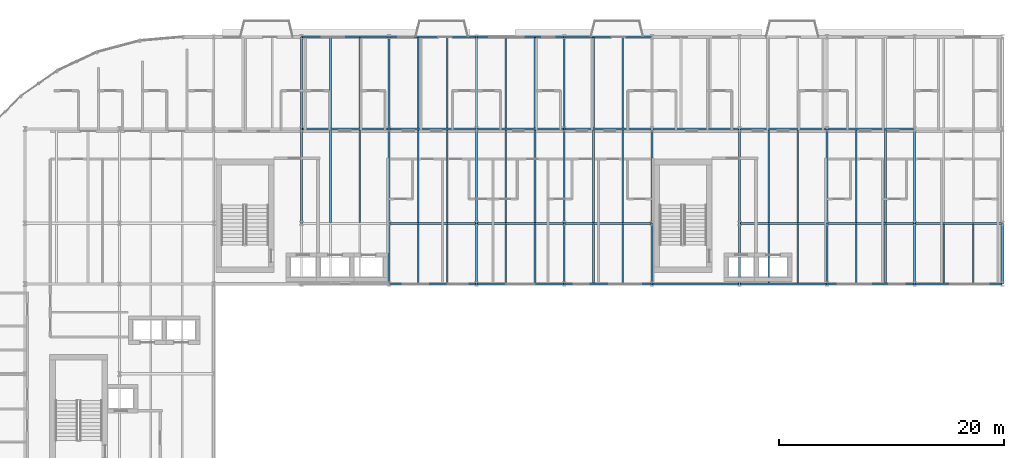
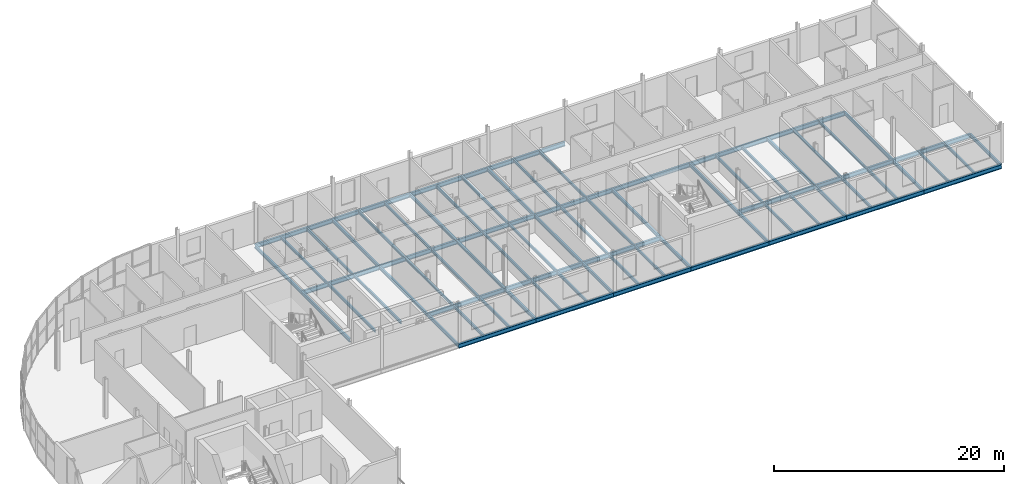
# One storey, part 8 of 22: 76 beams.
"""IFC4 building model written with IfcOpenShell, lengths in metres."""

from ifc_helpers import new_model, si_unit, direction, frame, origin, origin_2d, place, context, subcontext, project, spatial, i_section, extrude, material, material_profile, profile_set, type_object, element, save


model = new_model("IFC4")

# Units and contexts
model_context = context("Model", 3, precision=1e-05, world=origin(), true_north=direction((0.0, 1.0)))
body_context = subcontext(model_context, "Body", "Model", "MODEL_VIEW")
ifc_project = project(units=[si_unit("LENGTHUNIT", "METRE"), si_unit("AREAUNIT", "SQUARE_METRE"), si_unit("VOLUMEUNIT", "CUBIC_METRE"), si_unit("PLANEANGLEUNIT", "RADIAN"), si_unit("MASSUNIT", "GRAM", prefix="KILO")], contexts=[model_context])

# Site, building, storey
site_placement = place(None, origin())
site = spatial("IfcSite", under=ifc_project, at=site_placement, CompositionType="ELEMENT")
building_placement = place(site_placement, origin())
building = spatial("IfcBuilding", under=site, at=building_placement, Name="Sefraquen Railside Congress Hotel", CompositionType="ELEMENT")
storey_placement = place(building_placement, frame((0.0, 0.0, 42.60009765625)))
storey = spatial("IfcBuildingStorey", under=building, at=storey_placement, Name="L10", CompositionType="ELEMENT", Elevation=42.60009765625)

# Beams
ifc_material = material(Name="Steel S355JR", Category="steel")
ifc_material_profile_1 = material_profile(ifc_material, i_section(OverallWidth=0.169921875, OverallDepth=0.360107421875, WebThickness=0.008056640625, FlangeThickness=0.0126953125, FilletRadius=0.01806640625, at=origin_2d()), Name="IPE 360")
ifc_profile_set_1 = profile_set([ifc_material_profile_1], Name="Steel S355JR")
beam_type_1 = type_object("IfcBeamType", Name="TB-BM-360", PredefinedType="BEAM", material=ifc_profile_set_1)
beam_1_placement = place(storey_placement, frame((33.0, 101.39990234375, -0.400146484375), z_axis=(0.0, 1.0, 0.0), x_axis=(-1.0, 0.0, 0.0)))
element("IfcBeam", 1, at=beam_1_placement, inside=storey, type_object=beam_type_1, Name="Floor beam BM-L10-2123", PredefinedType="BEAM", context=body_context, shape_type="SweptSolid", body=[
    extrude(i_section(OverallWidth=0.169921875, OverallDepth=0.360107421875, WebThickness=0.008056640625, FlangeThickness=0.0126953125, FilletRadius=0.01806640625, at=origin_2d()), origin(), (0.0, 0.0, 1.0), 8.400146484375),
])
beam_2_placement = place(storey_placement, frame((33.0, 109.800048828125, -0.400146484375), z_axis=(0.0, 1.0, 0.0), x_axis=(-1.0, 0.0, 0.0)))
element("IfcBeam", 2, at=beam_2_placement, inside=storey, type_object=beam_type_1, Name="Floor beam BM-L10-2124", PredefinedType="BEAM", context=body_context, shape_type="SweptSolid", body=[
    extrude(i_section(OverallWidth=0.169921875, OverallDepth=0.360107421875, WebThickness=0.008056640625, FlangeThickness=0.0126953125, FilletRadius=0.01806640625, at=origin_2d()), origin(), (0.0, 0.0, 1.0), 8.199951171875),
])
beam_3_placement = place(storey_placement, frame((40.800048828125, 96.0, -0.400146484375), z_axis=(0.0, 1.0, 0.0), x_axis=(-1.0, 0.0, 0.0)))
element("IfcBeam", 3, at=beam_3_placement, inside=storey, type_object=beam_type_1, Name="Floor beam BM-L10-2125", PredefinedType="BEAM", context=body_context, shape_type="SweptSolid", body=[
    extrude(i_section(OverallWidth=0.169921875, OverallDepth=0.360107421875, WebThickness=0.008056640625, FlangeThickness=0.0126953125, FilletRadius=0.01806640625, at=origin_2d()), origin(), (0.0, 0.0, 1.0), 5.39990234375),
])
beam_4_placement = place(storey_placement, frame((40.800048828125, 101.39990234375, -0.400146484375), z_axis=(0.0, 1.0, 0.0), x_axis=(-1.0, 0.0, 0.0)))
element("IfcBeam", 4, at=beam_4_placement, inside=storey, type_object=beam_type_1, Name="Floor beam BM-L10-2126", PredefinedType="BEAM", context=body_context, shape_type="SweptSolid", body=[
    extrude(i_section(OverallWidth=0.169921875, OverallDepth=0.360107421875, WebThickness=0.008056640625, FlangeThickness=0.0126953125, FilletRadius=0.01806640625, at=origin_2d()), origin(), (0.0, 0.0, 1.0), 8.400146484375),
])
beam_5_placement = place(storey_placement, frame((40.800048828125, 109.800048828125, -0.400146484375), z_axis=(0.0, 1.0, 0.0), x_axis=(-1.0, 0.0, 0.0)))
element("IfcBeam", 5, at=beam_5_placement, inside=storey, type_object=beam_type_1, Name="Floor beam BM-L10-2127", PredefinedType="BEAM", context=body_context, shape_type="SweptSolid", body=[
    extrude(i_section(OverallWidth=0.169921875, OverallDepth=0.360107421875, WebThickness=0.008056640625, FlangeThickness=0.0126953125, FilletRadius=0.01806640625, at=origin_2d()), origin(), (0.0, 0.0, 1.0), 8.199951171875),
])
beam_6_placement = place(storey_placement, frame((48.60009765625, 96.0, -0.400146484375), z_axis=(0.0, 1.0, 0.0), x_axis=(-1.0, 0.0, 0.0)))
element("IfcBeam", 6, at=beam_6_placement, inside=storey, type_object=beam_type_1, Name="Floor beam BM-L10-2128", PredefinedType="BEAM", context=body_context, shape_type="SweptSolid", body=[
    extrude(i_section(OverallWidth=0.169921875, OverallDepth=0.360107421875, WebThickness=0.008056640625, FlangeThickness=0.0126953125, FilletRadius=0.01806640625, at=origin_2d()), origin(), (0.0, 0.0, 1.0), 5.39990234375),
])
beam_7_placement = place(storey_placement, frame((48.60009765625, 101.39990234375, -0.400146484375), z_axis=(0.0, 1.0, 0.0), x_axis=(-1.0, 0.0, 0.0)))
element("IfcBeam", 7, at=beam_7_placement, inside=storey, type_object=beam_type_1, Name="Floor beam BM-L10-2129", PredefinedType="BEAM", context=body_context, shape_type="SweptSolid", body=[
    extrude(i_section(OverallWidth=0.169921875, OverallDepth=0.360107421875, WebThickness=0.008056640625, FlangeThickness=0.0126953125, FilletRadius=0.01806640625, at=origin_2d()), origin(), (0.0, 0.0, 1.0), 8.400146484375),
])
beam_8_placement = place(storey_placement, frame((48.60009765625, 109.800048828125, -0.400146484375), z_axis=(0.0, 1.0, 0.0), x_axis=(-1.0, 0.0, 0.0)))
element("IfcBeam", 8, at=beam_8_placement, inside=storey, type_object=beam_type_1, Name="Floor beam BM-L10-2130", PredefinedType="BEAM", context=body_context, shape_type="SweptSolid", body=[
    extrude(i_section(OverallWidth=0.169921875, OverallDepth=0.360107421875, WebThickness=0.008056640625, FlangeThickness=0.0126953125, FilletRadius=0.01806640625, at=origin_2d()), origin(), (0.0, 0.0, 1.0), 8.199951171875),
])
beam_9_placement = place(storey_placement, frame((56.39990234375, 96.0, -0.400146484375), z_axis=(0.0, 1.0, 0.0), x_axis=(-1.0, 0.0, 0.0)))
element("IfcBeam", 9, at=beam_9_placement, inside=storey, type_object=beam_type_1, Name="Floor beam BM-L10-2131", PredefinedType="BEAM", context=body_context, shape_type="SweptSolid", body=[
    extrude(i_section(OverallWidth=0.169921875, OverallDepth=0.360107421875, WebThickness=0.008056640625, FlangeThickness=0.0126953125, FilletRadius=0.01806640625, at=origin_2d()), origin(), (0.0, 0.0, 1.0), 5.39990234375),
])
beam_10_placement = place(storey_placement, frame((56.39990234375, 101.39990234375, -0.400146484375), z_axis=(0.0, 1.0, 0.0), x_axis=(-1.0, 0.0, 0.0)))
element("IfcBeam", 10, at=beam_10_placement, inside=storey, type_object=beam_type_1, Name="Floor beam BM-L10-2132", PredefinedType="BEAM", context=body_context, shape_type="SweptSolid", body=[
    extrude(i_section(OverallWidth=0.169921875, OverallDepth=0.360107421875, WebThickness=0.008056640625, FlangeThickness=0.0126953125, FilletRadius=0.01806640625, at=origin_2d()), origin(), (0.0, 0.0, 1.0), 8.400146484375),
])
beam_11_placement = place(storey_placement, frame((56.39990234375, 109.800048828125, -0.400146484375), z_axis=(0.0, 1.0, 0.0), x_axis=(-1.0, 0.0, 0.0)))
element("IfcBeam", 11, at=beam_11_placement, inside=storey, type_object=beam_type_1, Name="Floor beam BM-L10-2133", PredefinedType="BEAM", context=body_context, shape_type="SweptSolid", body=[
    extrude(i_section(OverallWidth=0.169921875, OverallDepth=0.360107421875, WebThickness=0.008056640625, FlangeThickness=0.0126953125, FilletRadius=0.01806640625, at=origin_2d()), origin(), (0.0, 0.0, 1.0), 8.199951171875),
])
beam_12_placement = place(storey_placement, frame((64.199951171875, 96.0, -0.400146484375), z_axis=(0.0, 1.0, 0.0), x_axis=(-1.0, 0.0, 0.0)))
element("IfcBeam", 12, at=beam_12_placement, inside=storey, type_object=beam_type_1, Name="Floor beam BM-L10-2134", PredefinedType="BEAM", context=body_context, shape_type="SweptSolid", body=[
    extrude(i_section(OverallWidth=0.169921875, OverallDepth=0.360107421875, WebThickness=0.008056640625, FlangeThickness=0.0126953125, FilletRadius=0.01806640625, at=origin_2d()), origin(), (0.0, 0.0, 1.0), 5.39990234375),
])
beam_13_placement = place(storey_placement, frame((64.199951171875, 101.39990234375, -0.400146484375), z_axis=(0.0, 1.0, 0.0), x_axis=(-1.0, 0.0, 0.0)))
element("IfcBeam", 13, at=beam_13_placement, inside=storey, type_object=beam_type_1, Name="Floor beam BM-L10-2135", PredefinedType="BEAM", context=body_context, shape_type="SweptSolid", body=[
    extrude(i_section(OverallWidth=0.169921875, OverallDepth=0.360107421875, WebThickness=0.008056640625, FlangeThickness=0.0126953125, FilletRadius=0.01806640625, at=origin_2d()), origin(), (0.0, 0.0, 1.0), 8.400146484375),
])
beam_14_placement = place(storey_placement, frame((72.0, 96.0, -0.400146484375), z_axis=(0.0, 1.0, 0.0), x_axis=(-1.0, 0.0, 0.0)))
element("IfcBeam", 14, at=beam_14_placement, inside=storey, type_object=beam_type_1, Name="Floor beam BM-L10-2137", PredefinedType="BEAM", context=body_context, shape_type="SweptSolid", body=[
    extrude(i_section(OverallWidth=0.169921875, OverallDepth=0.360107421875, WebThickness=0.008056640625, FlangeThickness=0.0126953125, FilletRadius=0.01806640625, at=origin_2d()), origin(), (0.0, 0.0, 1.0), 5.39990234375),
])
beam_15_placement = place(storey_placement, frame((72.0, 101.39990234375, -0.400146484375), z_axis=(0.0, 1.0, 0.0), x_axis=(-1.0, 0.0, 0.0)))
element("IfcBeam", 15, at=beam_15_placement, inside=storey, type_object=beam_type_1, Name="Floor beam BM-L10-2138", PredefinedType="BEAM", context=body_context, shape_type="SweptSolid", body=[
    extrude(i_section(OverallWidth=0.169921875, OverallDepth=0.360107421875, WebThickness=0.008056640625, FlangeThickness=0.0126953125, FilletRadius=0.01806640625, at=origin_2d()), origin(), (0.0, 0.0, 1.0), 8.400146484375),
])
beam_16_placement = place(storey_placement, frame((79.800048828125, 96.0, -0.400146484375), z_axis=(0.0, 1.0, 0.0), x_axis=(-1.0, 0.0, 0.0)))
element("IfcBeam", 16, at=beam_16_placement, inside=storey, type_object=beam_type_1, Name="Floor beam BM-L10-2140", PredefinedType="BEAM", context=body_context, shape_type="SweptSolid", body=[
    extrude(i_section(OverallWidth=0.169921875, OverallDepth=0.360107421875, WebThickness=0.008056640625, FlangeThickness=0.0126953125, FilletRadius=0.01806640625, at=origin_2d()), origin(), (0.0, 0.0, 1.0), 5.39990234375),
])
beam_17_placement = place(storey_placement, frame((79.800048828125, 101.39990234375, -0.400146484375), z_axis=(0.0, 1.0, 0.0), x_axis=(-1.0, 0.0, 0.0)))
element("IfcBeam", 17, at=beam_17_placement, inside=storey, type_object=beam_type_1, Name="Floor beam BM-L10-2141", PredefinedType="BEAM", context=body_context, shape_type="SweptSolid", body=[
    extrude(i_section(OverallWidth=0.169921875, OverallDepth=0.360107421875, WebThickness=0.008056640625, FlangeThickness=0.0126953125, FilletRadius=0.01806640625, at=origin_2d()), origin(), (0.0, 0.0, 1.0), 8.400146484375),
])
beam_18_placement = place(storey_placement, frame((87.60009765625, 96.0, -0.400146484375), z_axis=(0.0, 1.0, 0.0), x_axis=(-1.0, 0.0, 0.0)))
element("IfcBeam", 18, at=beam_18_placement, inside=storey, type_object=beam_type_1, Name="Floor beam BM-L10-2143", PredefinedType="BEAM", context=body_context, shape_type="SweptSolid", body=[
    extrude(i_section(OverallWidth=0.169921875, OverallDepth=0.360107421875, WebThickness=0.008056640625, FlangeThickness=0.0126953125, FilletRadius=0.01806640625, at=origin_2d()), origin(), (0.0, 0.0, 1.0), 5.39990234375),
])
beam_19_placement = place(storey_placement, frame((87.60009765625, 101.39990234375, -0.400146484375), z_axis=(0.0, 1.0, 0.0), x_axis=(-1.0, 0.0, 0.0)))
element("IfcBeam", 19, at=beam_19_placement, inside=storey, type_object=beam_type_1, Name="Floor beam BM-L10-2144", PredefinedType="BEAM", context=body_context, shape_type="SweptSolid", body=[
    extrude(i_section(OverallWidth=0.169921875, OverallDepth=0.360107421875, WebThickness=0.008056640625, FlangeThickness=0.0126953125, FilletRadius=0.01806640625, at=origin_2d()), origin(), (0.0, 0.0, 1.0), 8.400146484375),
])
beam_20_placement = place(storey_placement, frame((95.39990234375, 96.0, -0.400146484375), z_axis=(0.0, 1.0, 0.0), x_axis=(-1.0, 0.0, 0.0)))
element("IfcBeam", 20, at=beam_20_placement, inside=storey, type_object=beam_type_1, Name="Floor beam BM-L10-2146", PredefinedType="BEAM", context=body_context, shape_type="SweptSolid", body=[
    extrude(i_section(OverallWidth=0.169921875, OverallDepth=0.360107421875, WebThickness=0.008056640625, FlangeThickness=0.0126953125, FilletRadius=0.01806640625, at=origin_2d()), origin(), (0.0, 0.0, 1.0), 5.39990234375),
])
ifc_material_profile_2 = material_profile(ifc_material, i_section(OverallWidth=0.18994140625, OverallDepth=0.449951171875, WebThickness=0.009521484375, FlangeThickness=0.0146484375, FilletRadius=0.02099609375, at=origin_2d()), Name="IPE 450")
ifc_profile_set_2 = profile_set([ifc_material_profile_2], Name="Steel S355JR")
beam_type_2 = type_object("IfcBeamType", Name="TB-BM-450", PredefinedType="BEAM", material=ifc_profile_set_2)
beam_21_placement = place(storey_placement, frame((40.800048828125, 96.0, -0.445068359375), z_axis=(1.0, 0.0, 0.0), x_axis=(0.0, 1.0, 0.0)))
element("IfcBeam", 21, at=beam_21_placement, inside=storey, type_object=beam_type_2, Name="Primary girder BM-L10-2064", PredefinedType="BEAM", context=body_context, shape_type="SweptSolid", body=[
    extrude(i_section(OverallWidth=0.18994140625, OverallDepth=0.449951171875, WebThickness=0.009521484375, FlangeThickness=0.0146484375, FilletRadius=0.02099609375, at=origin_2d()), origin(), (0.0, 0.0, 1.0), 7.800048828125),
])
beam_22_placement = place(storey_placement, frame((48.60009765625, 96.0, -0.445068359375), z_axis=(1.0, 0.0, 0.0), x_axis=(0.0, 1.0, 0.0)))
element("IfcBeam", 22, at=beam_22_placement, inside=storey, type_object=beam_type_2, Name="Primary girder BM-L10-2065", PredefinedType="BEAM", context=body_context, shape_type="SweptSolid", body=[
    extrude(i_section(OverallWidth=0.18994140625, OverallDepth=0.449951171875, WebThickness=0.009521484375, FlangeThickness=0.0146484375, FilletRadius=0.02099609375, at=origin_2d()), origin(), (0.0, 0.0, 1.0), 7.7998046875),
])
for number, where, z_axis, x_axis, name in (
    (23, (56.39990234375, 96.0, -0.445068359375), (1.0, 0.0, 0.0), (0.0, 1.0, 0.0), "Primary girder BM-L10-2066"),
    (24, (64.199951171875, 96.0, -0.445068359375), (1.0, 0.0, 0.0), (0.0, 1.0, 0.0), "Primary girder BM-L10-2067"),
    (25, (72.0, 96.0, -0.445068359375), (1.0, 0.0, 0.0), (0.0, 1.0, 0.0), "Primary girder BM-L10-2068"),
    (26, (79.800048828125, 96.0, -0.445068359375), (1.0, 0.0, 0.0), (0.0, 1.0, 0.0), "Primary girder BM-L10-2069"),
):
    element("IfcBeam", number, at=place(storey_placement, frame(where, z_axis=z_axis, x_axis=x_axis)), inside=storey, type_object=beam_type_2, Name=name, PredefinedType="BEAM", context=body_context, shape_type="SweptSolid", body=[
        extrude(i_section(OverallWidth=0.18994140625, OverallDepth=0.449951171875, WebThickness=0.009521484375, FlangeThickness=0.0146484375, FilletRadius=0.02099609375, at=origin_2d()), origin(), (0.0, 0.0, 1.0), 7.800048828125),
    ])
beam_23_placement = place(storey_placement, frame((87.60009765625, 96.0, -0.445068359375), z_axis=(1.0, 0.0, 0.0), x_axis=(0.0, 1.0, 0.0)))
element("IfcBeam", 27, at=beam_23_placement, inside=storey, type_object=beam_type_2, Name="Primary girder BM-L10-2070", PredefinedType="BEAM", context=body_context, shape_type="SweptSolid", body=[
    extrude(i_section(OverallWidth=0.18994140625, OverallDepth=0.449951171875, WebThickness=0.009521484375, FlangeThickness=0.0146484375, FilletRadius=0.02099609375, at=origin_2d()), origin(), (0.0, 0.0, 1.0), 7.7998046875),
])
beam_24_placement = place(storey_placement, frame((40.800048828125, 101.39990234375, -0.445068359375), z_axis=(1.0, 0.0, 0.0), x_axis=(0.0, 1.0, 0.0)))
element("IfcBeam", 28, at=beam_24_placement, inside=storey, type_object=beam_type_2, Name="Primary girder BM-L10-2074", PredefinedType="BEAM", context=body_context, shape_type="SweptSolid", body=[
    extrude(i_section(OverallWidth=0.18994140625, OverallDepth=0.449951171875, WebThickness=0.009521484375, FlangeThickness=0.0146484375, FilletRadius=0.02099609375, at=origin_2d()), origin(), (0.0, 0.0, 1.0), 7.800048828125),
])
beam_25_placement = place(storey_placement, frame((48.60009765625, 101.39990234375, -0.445068359375), z_axis=(1.0, 0.0, 0.0), x_axis=(0.0, 1.0, 0.0)))
element("IfcBeam", 29, at=beam_25_placement, inside=storey, type_object=beam_type_2, Name="Primary girder BM-L10-2075", PredefinedType="BEAM", context=body_context, shape_type="SweptSolid", body=[
    extrude(i_section(OverallWidth=0.18994140625, OverallDepth=0.449951171875, WebThickness=0.009521484375, FlangeThickness=0.0146484375, FilletRadius=0.02099609375, at=origin_2d()), origin(), (0.0, 0.0, 1.0), 7.7998046875),
])
for number, where, z_axis, x_axis, name in (
    (30, (56.39990234375, 101.39990234375, -0.445068359375), (1.0, 0.0, 0.0), (0.0, 1.0, 0.0), "Primary girder BM-L10-2076"),
    (31, (72.0, 101.39990234375, -0.445068359375), (1.0, 0.0, 0.0), (0.0, 1.0, 0.0), "Primary girder BM-L10-2077"),
    (32, (79.800048828125, 101.39990234375, -0.445068359375), (1.0, 0.0, 0.0), (0.0, 1.0, 0.0), "Primary girder BM-L10-2078"),
):
    element("IfcBeam", number, at=place(storey_placement, frame(where, z_axis=z_axis, x_axis=x_axis)), inside=storey, type_object=beam_type_2, Name=name, PredefinedType="BEAM", context=body_context, shape_type="SweptSolid", body=[
        extrude(i_section(OverallWidth=0.18994140625, OverallDepth=0.449951171875, WebThickness=0.009521484375, FlangeThickness=0.0146484375, FilletRadius=0.02099609375, at=origin_2d()), origin(), (0.0, 0.0, 1.0), 7.800048828125),
    ])
beam_26_placement = place(storey_placement, frame((87.60009765625, 101.39990234375, -0.445068359375), z_axis=(1.0, 0.0, 0.0), x_axis=(0.0, 1.0, 0.0)))
element("IfcBeam", 33, at=beam_26_placement, inside=storey, type_object=beam_type_2, Name="Primary girder BM-L10-2079", PredefinedType="BEAM", context=body_context, shape_type="SweptSolid", body=[
    extrude(i_section(OverallWidth=0.18994140625, OverallDepth=0.449951171875, WebThickness=0.009521484375, FlangeThickness=0.0146484375, FilletRadius=0.02099609375, at=origin_2d()), origin(), (0.0, 0.0, 1.0), 7.7998046875),
])
for number, where, z_axis, x_axis, name in (
    (34, (33.0, 109.800048828125, -0.445068359375), (1.0, 0.0, 0.0), (0.0, 1.0, 0.0), "Primary girder BM-L10-2083"),
    (35, (40.800048828125, 109.800048828125, -0.445068359375), (1.0, 0.0, 0.0), (0.0, 1.0, 0.0), "Primary girder BM-L10-2084"),
):
    element("IfcBeam", number, at=place(storey_placement, frame(where, z_axis=z_axis, x_axis=x_axis)), inside=storey, type_object=beam_type_2, Name=name, PredefinedType="BEAM", context=body_context, shape_type="SweptSolid", body=[
        extrude(i_section(OverallWidth=0.18994140625, OverallDepth=0.449951171875, WebThickness=0.009521484375, FlangeThickness=0.0146484375, FilletRadius=0.02099609375, at=origin_2d()), origin(), (0.0, 0.0, 1.0), 7.800048828125),
    ])
beam_27_placement = place(storey_placement, frame((48.60009765625, 109.800048828125, -0.445068359375), z_axis=(1.0, 0.0, 0.0), x_axis=(0.0, 1.0, 0.0)))
element("IfcBeam", 36, at=beam_27_placement, inside=storey, type_object=beam_type_2, Name="Primary girder BM-L10-2085", PredefinedType="BEAM", context=body_context, shape_type="SweptSolid", body=[
    extrude(i_section(OverallWidth=0.18994140625, OverallDepth=0.449951171875, WebThickness=0.009521484375, FlangeThickness=0.0146484375, FilletRadius=0.02099609375, at=origin_2d()), origin(), (0.0, 0.0, 1.0), 7.7998046875),
])
for number, where, z_axis, x_axis, name in (
    (37, (56.39990234375, 109.800048828125, -0.445068359375), (1.0, 0.0, 0.0), (0.0, 1.0, 0.0), "Primary girder BM-L10-2086"),
    (38, (64.199951171875, 109.800048828125, -0.445068359375), (1.0, 0.0, 0.0), (0.0, 1.0, 0.0), "Primary girder BM-L10-2087"),
    (39, (72.0, 109.800048828125, -0.445068359375), (1.0, 0.0, 0.0), (0.0, 1.0, 0.0), "Primary girder BM-L10-2088"),
    (40, (79.800048828125, 109.800048828125, -0.445068359375), (1.0, 0.0, 0.0), (0.0, 1.0, 0.0), "Primary girder BM-L10-2089"),
    (41, (33.0, 118.0, -0.445068359375), (1.0, 0.0, 0.0), (0.0, 1.0, 0.0), "Primary girder BM-L10-2092"),
    (42, (40.800048828125, 118.0, -0.445068359375), (1.0, 0.0, 0.0), (0.0, 1.0, 0.0), "Primary girder BM-L10-2093"),
):
    element("IfcBeam", number, at=place(storey_placement, frame(where, z_axis=z_axis, x_axis=x_axis)), inside=storey, type_object=beam_type_2, Name=name, PredefinedType="BEAM", context=body_context, shape_type="SweptSolid", body=[
        extrude(i_section(OverallWidth=0.18994140625, OverallDepth=0.449951171875, WebThickness=0.009521484375, FlangeThickness=0.0146484375, FilletRadius=0.02099609375, at=origin_2d()), origin(), (0.0, 0.0, 1.0), 7.800048828125),
    ])
beam_28_placement = place(storey_placement, frame((48.60009765625, 118.0, -0.445068359375), z_axis=(1.0, 0.0, 0.0), x_axis=(0.0, 1.0, 0.0)))
element("IfcBeam", 43, at=beam_28_placement, inside=storey, type_object=beam_type_2, Name="Primary girder BM-L10-2094", PredefinedType="BEAM", context=body_context, shape_type="SweptSolid", body=[
    extrude(i_section(OverallWidth=0.18994140625, OverallDepth=0.449951171875, WebThickness=0.009521484375, FlangeThickness=0.0146484375, FilletRadius=0.02099609375, at=origin_2d()), origin(), (0.0, 0.0, 1.0), 7.7998046875),
])
beam_29_placement = place(storey_placement, frame((56.39990234375, 118.0, -0.445068359375), z_axis=(1.0, 0.0, 0.0), x_axis=(0.0, 1.0, 0.0)))
element("IfcBeam", 44, at=beam_29_placement, inside=storey, type_object=beam_type_2, Name="Primary girder BM-L10-2095", PredefinedType="BEAM", context=body_context, shape_type="SweptSolid", body=[
    extrude(i_section(OverallWidth=0.18994140625, OverallDepth=0.449951171875, WebThickness=0.009521484375, FlangeThickness=0.0146484375, FilletRadius=0.02099609375, at=origin_2d()), origin(), (0.0, 0.0, 1.0), 7.800048828125),
])
ifc_material_profile_3 = material_profile(ifc_material, i_section(OverallWidth=0.14990234375, OverallDepth=0.300048828125, WebThickness=0.007080078125, FlangeThickness=0.0107421875, FilletRadius=0.014892578125, at=origin_2d()), Name="IPE 300")
ifc_profile_set_3 = profile_set([ifc_material_profile_3], Name="Steel S355JR")
beam_type_3 = type_object("IfcBeamType", Name="TB-JST-300", PredefinedType="JOIST", material=ifc_profile_set_3)
for number, where, z_axis, x_axis, name in (
    (45, (35.60009765625, 101.47509765625, -0.3701171875), (0.0, 1.0, 0.0), (-1.0, 0.0, 0.0), "Composite floor joist BM-L10-J1426"),
    (46, (38.199951171875, 101.47509765625, -0.3701171875), (0.0, 1.0, 0.0), (-1.0, 0.0, 0.0), "Composite floor joist BM-L10-J1427"),
):
    element("IfcBeam", number, at=place(storey_placement, frame(where, z_axis=z_axis, x_axis=x_axis)), inside=storey, type_object=beam_type_3, Name=name, PredefinedType="JOIST", context=body_context, shape_type="SweptSolid", body=[
        extrude(i_section(OverallWidth=0.14990234375, OverallDepth=0.300048828125, WebThickness=0.007080078125, FlangeThickness=0.0107421875, FilletRadius=0.014892578125, at=origin_2d()), origin(), (0.0, 0.0, 1.0), 8.25),
    ])
for number, where, z_axis, x_axis, name in (
    (47, (35.60009765625, 109.875, -0.3701171875), (0.0, 1.0, 0.0), (-1.0, 0.0, 0.0), "Composite floor joist BM-L10-J1428"),
    (48, (38.199951171875, 109.875, -0.3701171875), (0.0, 1.0, 0.0), (-1.0, 0.0, 0.0), "Composite floor joist BM-L10-J1429"),
):
    element("IfcBeam", number, at=place(storey_placement, frame(where, z_axis=z_axis, x_axis=x_axis)), inside=storey, type_object=beam_type_3, Name=name, PredefinedType="JOIST", context=body_context, shape_type="SweptSolid", body=[
        extrude(i_section(OverallWidth=0.14990234375, OverallDepth=0.300048828125, WebThickness=0.007080078125, FlangeThickness=0.0107421875, FilletRadius=0.014892578125, at=origin_2d()), origin(), (0.0, 0.0, 1.0), 8.050048828125),
    ])
for number, where, z_axis, x_axis, name in (
    (49, (43.39990234375, 96.074951171875, -0.3701171875), (0.0, 1.0, 0.0), (-1.0, 0.0, 0.0), "Composite floor joist BM-L10-J1430"),
    (50, (46.0, 96.074951171875, -0.3701171875), (0.0, 1.0, 0.0), (-1.0, 0.0, 0.0), "Composite floor joist BM-L10-J1431"),
):
    element("IfcBeam", number, at=place(storey_placement, frame(where, z_axis=z_axis, x_axis=x_axis)), inside=storey, type_object=beam_type_3, Name=name, PredefinedType="JOIST", context=body_context, shape_type="SweptSolid", body=[
        extrude(i_section(OverallWidth=0.14990234375, OverallDepth=0.300048828125, WebThickness=0.007080078125, FlangeThickness=0.0107421875, FilletRadius=0.014892578125, at=origin_2d()), origin(), (0.0, 0.0, 1.0), 5.25),
    ])
for number, where, z_axis, x_axis, name in (
    (51, (43.39990234375, 101.47509765625, -0.3701171875), (0.0, 1.0, 0.0), (-1.0, 0.0, 0.0), "Composite floor joist BM-L10-J1432"),
    (52, (46.0, 101.47509765625, -0.3701171875), (0.0, 1.0, 0.0), (-1.0, 0.0, 0.0), "Composite floor joist BM-L10-J1433"),
):
    element("IfcBeam", number, at=place(storey_placement, frame(where, z_axis=z_axis, x_axis=x_axis)), inside=storey, type_object=beam_type_3, Name=name, PredefinedType="JOIST", context=body_context, shape_type="SweptSolid", body=[
        extrude(i_section(OverallWidth=0.14990234375, OverallDepth=0.300048828125, WebThickness=0.007080078125, FlangeThickness=0.0107421875, FilletRadius=0.014892578125, at=origin_2d()), origin(), (0.0, 0.0, 1.0), 8.25),
    ])
for number, where, z_axis, x_axis, name in (
    (53, (43.39990234375, 109.875, -0.3701171875), (0.0, 1.0, 0.0), (-1.0, 0.0, 0.0), "Composite floor joist BM-L10-J1434"),
    (54, (46.0, 109.875, -0.3701171875), (0.0, 1.0, 0.0), (-1.0, 0.0, 0.0), "Composite floor joist BM-L10-J1435"),
):
    element("IfcBeam", number, at=place(storey_placement, frame(where, z_axis=z_axis, x_axis=x_axis)), inside=storey, type_object=beam_type_3, Name=name, PredefinedType="JOIST", context=body_context, shape_type="SweptSolid", body=[
        extrude(i_section(OverallWidth=0.14990234375, OverallDepth=0.300048828125, WebThickness=0.007080078125, FlangeThickness=0.0107421875, FilletRadius=0.014892578125, at=origin_2d()), origin(), (0.0, 0.0, 1.0), 8.050048828125),
    ])
for number, where, z_axis, x_axis, name in (
    (55, (51.199951171875, 96.074951171875, -0.3701171875), (0.0, 1.0, 0.0), (-1.0, 0.0, 0.0), "Composite floor joist BM-L10-J1436"),
    (56, (53.800048828125, 96.074951171875, -0.3701171875), (0.0, 1.0, 0.0), (-1.0, 0.0, 0.0), "Composite floor joist BM-L10-J1437"),
):
    element("IfcBeam", number, at=place(storey_placement, frame(where, z_axis=z_axis, x_axis=x_axis)), inside=storey, type_object=beam_type_3, Name=name, PredefinedType="JOIST", context=body_context, shape_type="SweptSolid", body=[
        extrude(i_section(OverallWidth=0.14990234375, OverallDepth=0.300048828125, WebThickness=0.007080078125, FlangeThickness=0.0107421875, FilletRadius=0.014892578125, at=origin_2d()), origin(), (0.0, 0.0, 1.0), 5.25),
    ])
for number, where, z_axis, x_axis, name in (
    (57, (51.199951171875, 101.47509765625, -0.3701171875), (0.0, 1.0, 0.0), (-1.0, 0.0, 0.0), "Composite floor joist BM-L10-J1438"),
    (58, (53.800048828125, 101.47509765625, -0.3701171875), (0.0, 1.0, 0.0), (-1.0, 0.0, 0.0), "Composite floor joist BM-L10-J1439"),
):
    element("IfcBeam", number, at=place(storey_placement, frame(where, z_axis=z_axis, x_axis=x_axis)), inside=storey, type_object=beam_type_3, Name=name, PredefinedType="JOIST", context=body_context, shape_type="SweptSolid", body=[
        extrude(i_section(OverallWidth=0.14990234375, OverallDepth=0.300048828125, WebThickness=0.007080078125, FlangeThickness=0.0107421875, FilletRadius=0.014892578125, at=origin_2d()), origin(), (0.0, 0.0, 1.0), 8.25),
    ])
for number, where, z_axis, x_axis, name in (
    (59, (51.199951171875, 109.875, -0.3701171875), (0.0, 1.0, 0.0), (-1.0, 0.0, 0.0), "Composite floor joist BM-L10-J1440"),
    (60, (53.800048828125, 109.875, -0.3701171875), (0.0, 1.0, 0.0), (-1.0, 0.0, 0.0), "Composite floor joist BM-L10-J1441"),
):
    element("IfcBeam", number, at=place(storey_placement, frame(where, z_axis=z_axis, x_axis=x_axis)), inside=storey, type_object=beam_type_3, Name=name, PredefinedType="JOIST", context=body_context, shape_type="SweptSolid", body=[
        extrude(i_section(OverallWidth=0.14990234375, OverallDepth=0.300048828125, WebThickness=0.007080078125, FlangeThickness=0.0107421875, FilletRadius=0.014892578125, at=origin_2d()), origin(), (0.0, 0.0, 1.0), 8.050048828125),
    ])
for number, where, z_axis, x_axis, name in (
    (61, (59.0, 96.074951171875, -0.3701171875), (0.0, 1.0, 0.0), (-1.0, 0.0, 0.0), "Composite floor joist BM-L10-J1442"),
    (62, (61.60009765625, 96.074951171875, -0.3701171875), (0.0, 1.0, 0.0), (-1.0, 0.0, 0.0), "Composite floor joist BM-L10-J1443"),
):
    element("IfcBeam", number, at=place(storey_placement, frame(where, z_axis=z_axis, x_axis=x_axis)), inside=storey, type_object=beam_type_3, Name=name, PredefinedType="JOIST", context=body_context, shape_type="SweptSolid", body=[
        extrude(i_section(OverallWidth=0.14990234375, OverallDepth=0.300048828125, WebThickness=0.007080078125, FlangeThickness=0.0107421875, FilletRadius=0.014892578125, at=origin_2d()), origin(), (0.0, 0.0, 1.0), 5.25),
    ])
for number, where, z_axis, x_axis, name in (
    (63, (59.0, 101.47509765625, -0.3701171875), (0.0, 1.0, 0.0), (-1.0, 0.0, 0.0), "Composite floor joist BM-L10-J1444"),
    (64, (61.60009765625, 101.47509765625, -0.3701171875), (0.0, 1.0, 0.0), (-1.0, 0.0, 0.0), "Composite floor joist BM-L10-J1445"),
):
    element("IfcBeam", number, at=place(storey_placement, frame(where, z_axis=z_axis, x_axis=x_axis)), inside=storey, type_object=beam_type_3, Name=name, PredefinedType="JOIST", context=body_context, shape_type="SweptSolid", body=[
        extrude(i_section(OverallWidth=0.14990234375, OverallDepth=0.300048828125, WebThickness=0.007080078125, FlangeThickness=0.0107421875, FilletRadius=0.014892578125, at=origin_2d()), origin(), (0.0, 0.0, 1.0), 8.25),
    ])
for number, where, z_axis, x_axis, name in (
    (65, (59.0, 109.875, -0.3701171875), (0.0, 1.0, 0.0), (-1.0, 0.0, 0.0), "Composite floor joist BM-L10-J1446"),
    (66, (61.60009765625, 109.875, -0.3701171875), (0.0, 1.0, 0.0), (-1.0, 0.0, 0.0), "Composite floor joist BM-L10-J1447"),
):
    element("IfcBeam", number, at=place(storey_placement, frame(where, z_axis=z_axis, x_axis=x_axis)), inside=storey, type_object=beam_type_3, Name=name, PredefinedType="JOIST", context=body_context, shape_type="SweptSolid", body=[
        extrude(i_section(OverallWidth=0.14990234375, OverallDepth=0.300048828125, WebThickness=0.007080078125, FlangeThickness=0.0107421875, FilletRadius=0.014892578125, at=origin_2d()), origin(), (0.0, 0.0, 1.0), 8.050048828125),
    ])
for number, where, z_axis, x_axis, name in (
    (67, (74.60009765625, 96.074951171875, -0.3701171875), (0.0, 1.0, 0.0), (-1.0, 0.0, 0.0), "Composite floor joist BM-L10-J1450"),
    (68, (77.199951171875, 96.074951171875, -0.3701171875), (0.0, 1.0, 0.0), (-1.0, 0.0, 0.0), "Composite floor joist BM-L10-J1451"),
):
    element("IfcBeam", number, at=place(storey_placement, frame(where, z_axis=z_axis, x_axis=x_axis)), inside=storey, type_object=beam_type_3, Name=name, PredefinedType="JOIST", context=body_context, shape_type="SweptSolid", body=[
        extrude(i_section(OverallWidth=0.14990234375, OverallDepth=0.300048828125, WebThickness=0.007080078125, FlangeThickness=0.0107421875, FilletRadius=0.014892578125, at=origin_2d()), origin(), (0.0, 0.0, 1.0), 5.25),
    ])
for number, where, z_axis, x_axis, name in (
    (69, (74.60009765625, 101.47509765625, -0.3701171875), (0.0, 1.0, 0.0), (-1.0, 0.0, 0.0), "Composite floor joist BM-L10-J1452"),
    (70, (77.199951171875, 101.47509765625, -0.3701171875), (0.0, 1.0, 0.0), (-1.0, 0.0, 0.0), "Composite floor joist BM-L10-J1453"),
):
    element("IfcBeam", number, at=place(storey_placement, frame(where, z_axis=z_axis, x_axis=x_axis)), inside=storey, type_object=beam_type_3, Name=name, PredefinedType="JOIST", context=body_context, shape_type="SweptSolid", body=[
        extrude(i_section(OverallWidth=0.14990234375, OverallDepth=0.300048828125, WebThickness=0.007080078125, FlangeThickness=0.0107421875, FilletRadius=0.014892578125, at=origin_2d()), origin(), (0.0, 0.0, 1.0), 8.25),
    ])
for number, where, z_axis, x_axis, name in (
    (71, (82.39990234375, 96.074951171875, -0.3701171875), (0.0, 1.0, 0.0), (-1.0, 0.0, 0.0), "Composite floor joist BM-L10-J1456"),
    (72, (85.0, 96.074951171875, -0.3701171875), (0.0, 1.0, 0.0), (-1.0, 0.0, 0.0), "Composite floor joist BM-L10-J1457"),
):
    element("IfcBeam", number, at=place(storey_placement, frame(where, z_axis=z_axis, x_axis=x_axis)), inside=storey, type_object=beam_type_3, Name=name, PredefinedType="JOIST", context=body_context, shape_type="SweptSolid", body=[
        extrude(i_section(OverallWidth=0.14990234375, OverallDepth=0.300048828125, WebThickness=0.007080078125, FlangeThickness=0.0107421875, FilletRadius=0.014892578125, at=origin_2d()), origin(), (0.0, 0.0, 1.0), 5.25),
    ])
for number, where, z_axis, x_axis, name in (
    (73, (82.39990234375, 101.47509765625, -0.3701171875), (0.0, 1.0, 0.0), (-1.0, 0.0, 0.0), "Composite floor joist BM-L10-J1458"),
    (74, (85.0, 101.47509765625, -0.3701171875), (0.0, 1.0, 0.0), (-1.0, 0.0, 0.0), "Composite floor joist BM-L10-J1459"),
):
    element("IfcBeam", number, at=place(storey_placement, frame(where, z_axis=z_axis, x_axis=x_axis)), inside=storey, type_object=beam_type_3, Name=name, PredefinedType="JOIST", context=body_context, shape_type="SweptSolid", body=[
        extrude(i_section(OverallWidth=0.14990234375, OverallDepth=0.300048828125, WebThickness=0.007080078125, FlangeThickness=0.0107421875, FilletRadius=0.014892578125, at=origin_2d()), origin(), (0.0, 0.0, 1.0), 8.25),
    ])
for number, where, z_axis, x_axis, name in (
    (75, (90.199951171875, 96.074951171875, -0.3701171875), (0.0, 1.0, 0.0), (-1.0, 0.0, 0.0), "Composite floor joist BM-L10-J1462"),
    (76, (92.800048828125, 96.074951171875, -0.3701171875), (0.0, 1.0, 0.0), (-1.0, 0.0, 0.0), "Composite floor joist BM-L10-J1463"),
):
    element("IfcBeam", number, at=place(storey_placement, frame(where, z_axis=z_axis, x_axis=x_axis)), inside=storey, type_object=beam_type_3, Name=name, PredefinedType="JOIST", context=body_context, shape_type="SweptSolid", body=[
        extrude(i_section(OverallWidth=0.14990234375, OverallDepth=0.300048828125, WebThickness=0.007080078125, FlangeThickness=0.0107421875, FilletRadius=0.014892578125, at=origin_2d()), origin(), (0.0, 0.0, 1.0), 5.25),
    ])

save(model, "model.ifc")
